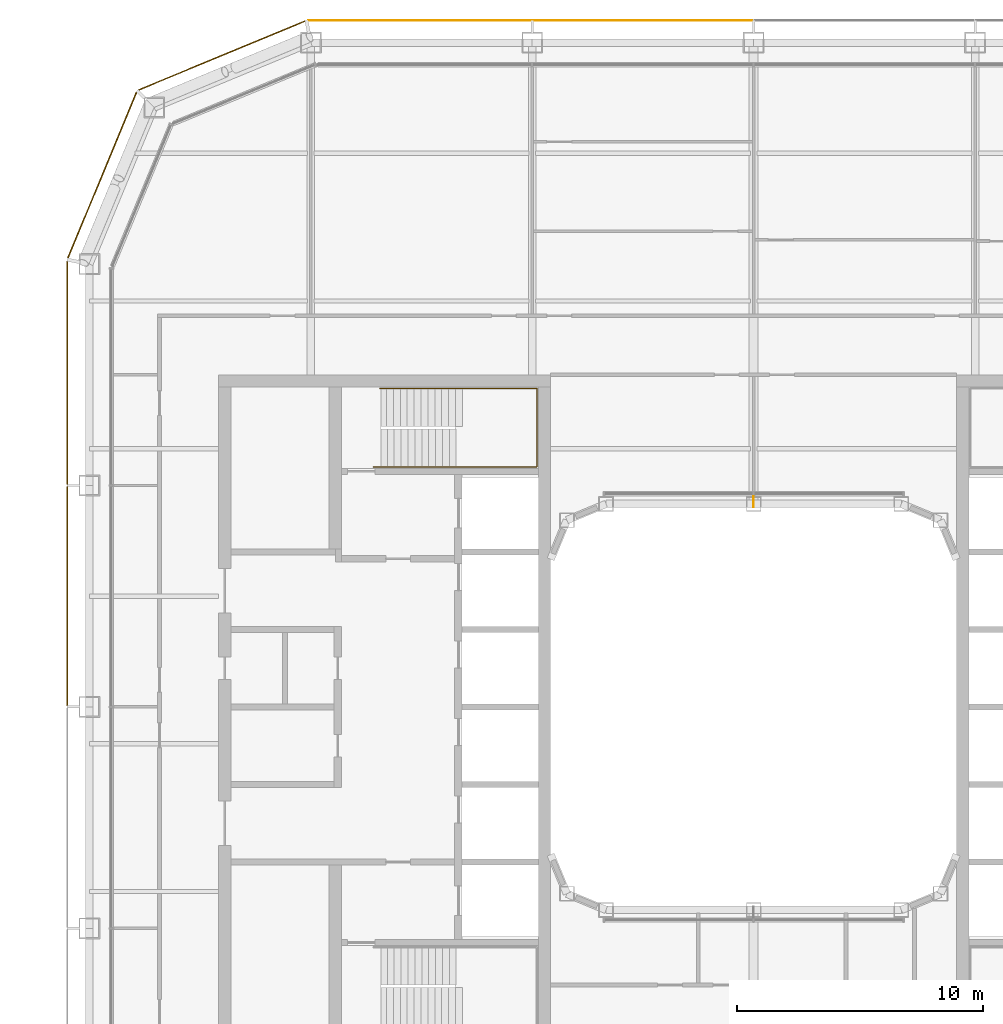
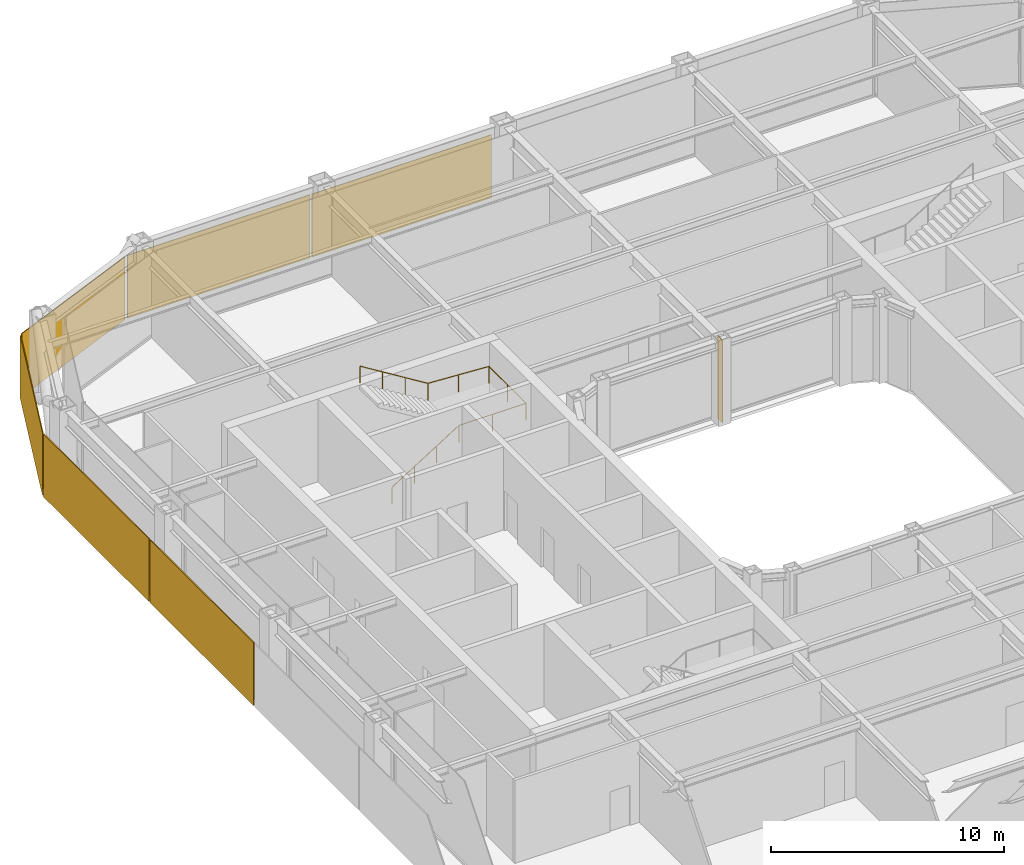
# One storey, part 22 of 24: 6 coverings, 1 railing, 1 shading device.
"""IFC4 building model written with IfcOpenShell, lengths in metres."""

from ifc_helpers import new_model, si_unit, direction, frame, origin, origin_2d, place, context, subcontext, project, spatial, rectangle, circle, extrude, material, layer, layer_set, type_object, element, save


model = new_model("IFC4")

# Units and contexts
model_context = context("Model", 3, precision=1e-05, world=origin(), true_north=direction((0.0, 1.0)))
body_context = subcontext(model_context, "Body", "Model", "MODEL_VIEW")
ifc_project = project(units=[si_unit("LENGTHUNIT", "METRE"), si_unit("AREAUNIT", "SQUARE_METRE"), si_unit("VOLUMEUNIT", "CUBIC_METRE"), si_unit("PLANEANGLEUNIT", "RADIAN"), si_unit("MASSUNIT", "GRAM", prefix="KILO")], contexts=[model_context])

# Site, building, storey
site_placement = place(None, origin())
site = spatial("IfcSite", under=ifc_project, at=site_placement, CompositionType="ELEMENT")
building_placement = place(site_placement, origin())
building = spatial("IfcBuilding", under=site, at=building_placement, Name="Siwar Civic Tower", CompositionType="ELEMENT")
storey_placement = place(building_placement, frame((0.0, 0.0, 215.199951171875)))
storey = spatial("IfcBuildingStorey", under=building, at=storey_placement, Name="L46", CompositionType="ELEMENT", Elevation=215.199951171875)

# Railing
ifc_material_1 = material(Name="Stainless steel", Category="steel")
railing_type = type_object("IfcRailingType", Name="CORE-STAIR-HANDRAIL", PredefinedType="HANDRAIL", material=ifc_material_1)
railing_placement = place(storey_placement, frame((-15.449951171875, 9.758056640625, 0.173095703125)))
element("IfcRailing", 1, at=railing_placement, inside=storey, type_object=railing_type, Name="Stair handrail ST1", PredefinedType="HANDRAIL", context=body_context, shape_type="SweptSolid", body=[
    extrude(circle(Radius=0.02001953125, at=origin_2d()), frame((0.0, 0.0, 0.8798828125), z_axis=(0.847063342986, 0.0, 0.531491950051), x_axis=(0.0, 1.0, 0.0)), (0.0, 0.0, 1.0), 3.90771484375),
    extrude(circle(Radius=0.02001953125, at=origin_2d()), frame((3.31005859375, 0.0, 2.956787109375), z_axis=(1.0, 0.0, 0.0), x_axis=(0.0, 1.0, 0.0)), (0.0, 0.0, 1.0), 3.331787109375),
    extrude(circle(Radius=0.02001953125, at=origin_2d()), frame((6.641845703125, 0.0, 2.956787109375), z_axis=(0.0, 1.0, 0.0), x_axis=(-1.0, 0.0, 0.0)), (0.0, 0.0, 1.0), 3.183837890625),
    extrude(circle(Radius=0.02001953125, at=origin_2d()), frame((6.641845703125, 3.183837890625, 2.956787109375), z_axis=(-0.99837434197, 0.0, 0.056997134106), x_axis=(0.0, -1.0, 0.0)), (0.0, 0.0, 1.0), 3.036865234375),
    extrude(circle(Radius=0.02001953125, at=origin_2d()), frame((3.60986328125, 3.183837890625, 3.1298828125), z_axis=(-0.850606129759, 0.0, 0.525803396734), x_axis=(0.0, -1.0, 0.0)), (0.0, 0.0, 1.0), 3.949951171875),
    extrude(circle(Radius=0.02001953125, at=origin_2d()), origin(), (0.0, 0.0, 1.0), 0.85986328125),
    extrude(circle(Radius=0.02001953125, at=origin_2d()), frame((1.103271484375, 0.0, 0.6923828125)), (0.0, 0.0, 1.0), 0.85986328125),
    extrude(circle(Radius=0.02001953125, at=origin_2d()), frame((2.206787109375, 0.0, 1.384521484375)), (0.0, 0.0, 1.0), 0.85986328125),
    extrude(circle(Radius=0.02001953125, at=origin_2d()), frame((3.31005859375, 0.0, 2.076904296875)), (0.0, 0.0, 1.0), 0.85986328125),
    extrude(circle(Radius=0.02001953125, at=origin_2d()), frame((4.97607421875, 0.0, 2.076904296875)), (0.0, 0.0, 1.0), 0.85986328125),
    extrude(circle(Radius=0.02001953125, at=origin_2d()), frame((6.641845703125, 0.0, 2.076904296875)), (0.0, 0.0, 1.0), 0.85986328125),
    extrude(circle(Radius=0.02001953125, at=origin_2d()), frame((6.641845703125, 1.591796875, 2.076904296875)), (0.0, 0.0, 1.0), 0.85986328125),
    extrude(circle(Radius=0.02001953125, at=origin_2d()), frame((6.641845703125, 3.183837890625, 2.076904296875)), (0.0, 0.0, 1.0), 0.85986328125),
    extrude(circle(Radius=0.02001953125, at=origin_2d()), frame((5.1259765625, 3.183837890625, 2.16357421875)), (0.0, 0.0, 1.0), 0.85986328125),
    extrude(circle(Radius=0.02001953125, at=origin_2d()), frame((3.60986328125, 3.183837890625, 2.25)), (0.0, 0.0, 1.0), 0.85986328125),
    extrude(circle(Radius=0.02001953125, at=origin_2d()), frame((2.489990234375, 3.183837890625, 2.9423828125)), (0.0, 0.0, 1.0), 0.85986328125),
    extrude(circle(Radius=0.02001953125, at=origin_2d()), frame((1.369873046875, 3.183837890625, 3.634521484375)), (0.0, 0.0, 1.0), 0.85986328125),
    extrude(circle(Radius=0.02001953125, at=origin_2d()), frame((0.25, 3.183837890625, 4.326904296875)), (0.0, 0.0, 1.0), 0.85986328125),
])

# Shading device
ifc_material_2 = material(Name="Aluminium 6063-T6", Category="aluminium")
ifc_layer_1 = layer(ifc_material_2, 0.02001953125)
ifc_layer_set_1 = layer_set([ifc_layer_1], Name="Aluminium 6063-T6")
shading_device_type = type_object("IfcShadingDeviceType", Name="ENV-FIN", PredefinedType="JALOUSIE", material=ifc_layer_set_1)
shading_device_placement = place(storey_placement, frame((0.0, 8.344970703125, 0.0), z_axis=(0.0, 0.0, 1.0), x_axis=(-1.0, 0.0, 0.0)))
element("IfcShadingDevice", 2, at=shading_device_placement, inside=storey, type_object=shading_device_type, Name="SUNSHADE fin WN 1", PredefinedType="JALOUSIE", context=body_context, shape_type="SweptSolid", body=[
    extrude(rectangle(XDim=0.02001953125, YDim=0.449951171875, at=origin_2d()), origin(), (0.0, 0.0, 1.0), 4.35009765625),
])

# Coverings
ifc_material_3 = material(Name="Perforated aluminium cassette, pale metal", Category="aluminium")
ifc_layer_2 = layer(ifc_material_3, 0.0400390625)
ifc_layer_set_2 = layer_set([ifc_layer_2], Name="Perforated aluminium cassette, pale metal")
covering_type_1 = type_object("IfcCoveringType", Name="ENV-OUTER SKIN OS-1", PredefinedType="CLADDING", material=ifc_layer_set_2)
covering_1_placement = place(storey_placement, frame((-4.5, 27.89990234375, -0.14990234375), z_axis=(0.0, 0.0, 1.0), x_axis=(-1.0, 0.0, 0.0)))
element("IfcCovering", 3, at=covering_1_placement, inside=storey, type_object=covering_type_1, Name="OUTER SKIN OS-1 N 3", PredefinedType="CLADDING", context=body_context, shape_type="SweptSolid", body=[
    extrude(rectangle(XDim=8.89990234375, YDim=0.0400390625, at=origin_2d()), origin(), (0.0, 0.0, 1.0), 3.300048828125),
])
covering_2_placement = place(storey_placement, frame((-13.57958984375, 27.89990234375, -0.14990234375), z_axis=(0.0, 0.0, 1.0), x_axis=(-1.0, 0.0, 0.0)))
element("IfcCovering", 4, at=covering_2_placement, inside=storey, type_object=covering_type_1, Name="OUTER SKIN OS-1 N 4", PredefinedType="CLADDING", context=body_context, shape_type="SweptSolid", body=[
    extrude(rectangle(XDim=9.05908203125, YDim=0.0400390625, at=origin_2d()), origin(), (0.0, 0.0, 1.0), 3.300048828125),
])
covering_3_placement = place(storey_placement, frame((-21.615966796875, 26.476318359375, -0.14990234375), z_axis=(0.0, 0.0, 1.0), x_axis=(-0.923879532511, -0.382683432365, 0.0)))
element("IfcCovering", 5, at=covering_3_placement, inside=storey, type_object=covering_type_1, Name="OUTER SKIN OS-1 NW1 1", PredefinedType="CLADDING", context=body_context, shape_type="SweptSolid", body=[
    extrude(rectangle(XDim=7.300048828125, YDim=0.0400390625, at=origin_2d()), origin(), (0.0, 0.0, 1.0), 3.300048828125),
])
ifc_material_4 = material(Name="Perforated aluminium cassette, pale metal", Category="aluminium")
ifc_layer_3 = layer(ifc_material_4, 0.044921875)
ifc_layer_set_3 = layer_set([ifc_layer_3], Name="Perforated aluminium cassette, pale metal")
covering_type_2 = type_object("IfcCoveringType", Name="ENV-OUTER SKIN OS-2", PredefinedType="CLADDING", material=ifc_layer_set_3)
covering_4_placement = place(storey_placement, frame((-26.476318359375, 21.615966796875, -0.14990234375), z_axis=(0.0, 0.0, 1.0), x_axis=(-0.382683432365, -0.923879532511, 0.0)))
element("IfcCovering", 6, at=covering_4_placement, inside=storey, type_object=covering_type_2, Name="OUTER SKIN OS-2 NW2 1", PredefinedType="CLADDING", context=body_context, shape_type="SweptSolid", body=[
    extrude(rectangle(XDim=7.300048828125, YDim=0.044921875, at=origin_2d()), origin(), (0.0, 0.0, 1.0), 3.300048828125),
])
ifc_material_5 = material(Name="Perforated aluminium cassette, pale metal", Category="aluminium")
ifc_layer_4 = layer(ifc_material_5, 0.050048828125)
ifc_layer_set_4 = layer_set([ifc_layer_4], Name="Perforated aluminium cassette, pale metal")
covering_type_3 = type_object("IfcCoveringType", Name="ENV-OUTER SKIN OS-3", PredefinedType="CLADDING", material=ifc_layer_set_4)
covering_5_placement = place(storey_placement, frame((-27.89990234375, 13.57958984375, -0.14990234375), z_axis=(0.0, 0.0, 1.0), x_axis=(0.0, -1.0, 0.0)))
element("IfcCovering", 7, at=covering_5_placement, inside=storey, type_object=covering_type_3, Name="OUTER SKIN OS-3 W 1", PredefinedType="CLADDING", context=body_context, shape_type="SweptSolid", body=[
    extrude(rectangle(XDim=9.05908203125, YDim=0.050048828125, at=origin_2d()), origin(), (0.0, 0.0, 1.0), 3.300048828125),
])
covering_6_placement = place(storey_placement, frame((-27.89990234375, 4.5, -0.14990234375), z_axis=(0.0, 0.0, 1.0), x_axis=(0.0, -1.0, 0.0)))
element("IfcCovering", 8, at=covering_6_placement, inside=storey, type_object=covering_type_3, Name="OUTER SKIN OS-3 W 2", PredefinedType="CLADDING", context=body_context, shape_type="SweptSolid", body=[
    extrude(rectangle(XDim=8.89990234375, YDim=0.050048828125, at=origin_2d()), origin(), (0.0, 0.0, 1.0), 3.300048828125),
])

save(model, "model.ifc")
